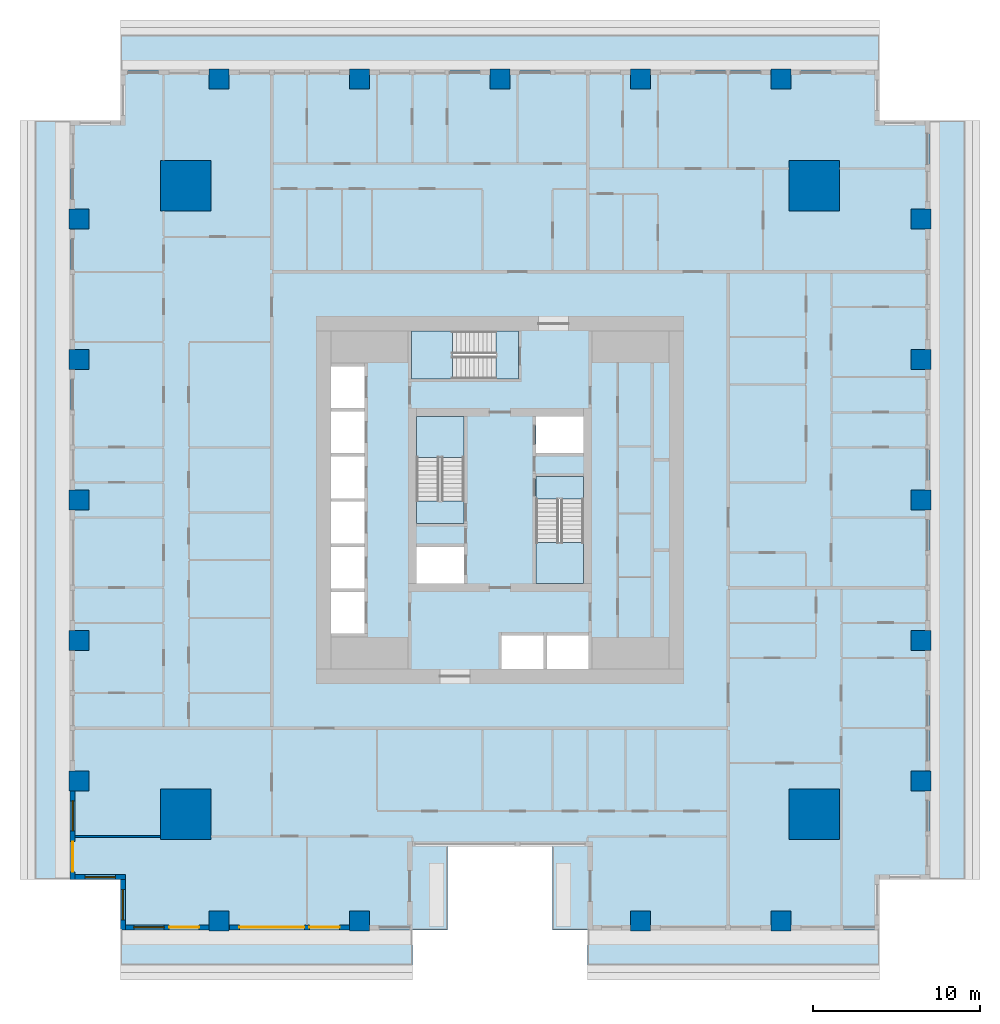
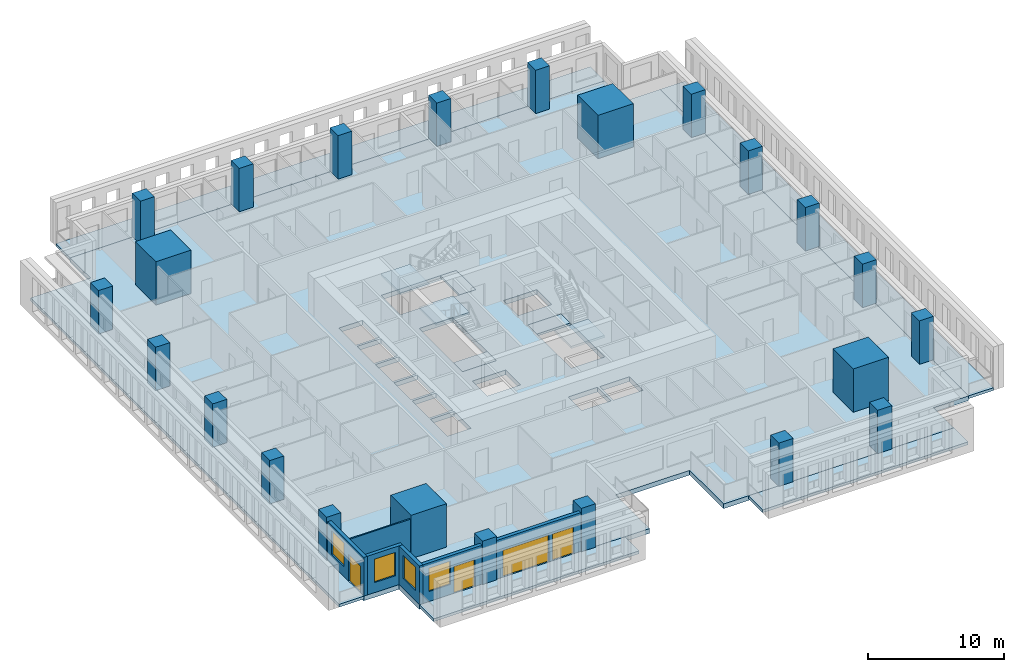
# One storey, part 1 of 15: 23 columns, 12 slabs, 6 walls, 4 doors, 4 windows, 8 openings, 3 elements without a shape of their own.
"""IFC4 building model written with IfcOpenShell, lengths in metres."""

from ifc_helpers import new_model, si_unit, direction, frame, frame_2d, origin, origin_2d, place, context, subcontext, project, spatial, polyline, rectangle, outline, extrude, material, layer, layer_set, material_profile, profile_set, type_object, element, fill, aggregate, save


model = new_model("IFC4")

# Units and contexts
model_context = context("Model", 3, precision=1e-05, world=origin(), true_north=direction((0.0, 1.0)))
body_context = subcontext(model_context, "Body", "Model", "MODEL_VIEW")
ifc_project = project(units=[si_unit("LENGTHUNIT", "METRE"), si_unit("AREAUNIT", "SQUARE_METRE"), si_unit("VOLUMEUNIT", "CUBIC_METRE"), si_unit("PLANEANGLEUNIT", "RADIAN"), si_unit("MASSUNIT", "GRAM", prefix="KILO")], contexts=[model_context])

# Site, building, storey
site_placement = place(None, origin())
site = spatial("IfcSite", under=ifc_project, at=site_placement, CompositionType="ELEMENT")
building_placement = place(site_placement, origin())
building = spatial("IfcBuilding", under=site, at=building_placement, Name="Khepri Terraces", CompositionType="ELEMENT")
storey_placement = place(building_placement, frame((0.0, 0.0, 34.800048828125)))
storey = spatial("IfcBuildingStorey", under=building, at=storey_placement, Name="L07", CompositionType="ELEMENT", Elevation=34.800048828125)

# Columns
ifc_material_1 = material(Name="Concrete C80/95", Category="concrete")
ifc_material_profile_1 = material_profile(ifc_material_1, rectangle(XDim=3.0, YDim=3.0, at=origin_2d()), Name="Concrete C80/95", Category="concrete")
ifc_profile_set_1 = profile_set([ifc_material_profile_1], Name="Concrete C80/95")
column_type_1 = type_object("IfcColumnType", Name="Mega column RC 3000x3000 C80/95", PredefinedType="COLUMN", material=ifc_profile_set_1)
for number, where, z_axis, x_axis, name in (
    (1, (18.800048828125, 18.800048828125, 0.0), (0.0, 0.0, 1.0), (1.0, 0.0, 0.0), "Mega column MEN L07"),
    (2, (18.800048828125, -18.800048828125, 0.0), (0.0, 0.0, 1.0), (1.0, 0.0, 0.0), "Mega column MES L07"),
    (3, (-18.800048828125, 18.800048828125, 0.0), (0.0, 0.0, 1.0), (1.0, 0.0, 0.0), "Mega column MWN L07"),
    (4, (-18.800048828125, -18.800048828125, 0.0), (0.0, 0.0, 1.0), (1.0, 0.0, 0.0), "Mega column MWS L07"),
):
    element("IfcColumn", number, at=place(storey_placement, frame(where, z_axis=z_axis, x_axis=x_axis)), inside=storey, type_object=column_type_1, Name=name, PredefinedType="COLUMN", context=body_context, shape_type="SweptSolid", body=[
        extrude(rectangle(XDim=3.0, YDim=3.0, at=origin_2d()), origin(), (0.0, 0.0, 1.0), 3.89990234375),
    ])
ifc_material_profile_2 = material_profile(ifc_material_1, rectangle(XDim=1.199951171875, YDim=1.199951171875, at=origin_2d()), Name="Concrete C80/95", Category="concrete")
ifc_profile_set_2 = profile_set([ifc_material_profile_2], Name="Concrete C80/95")
column_type_2 = type_object("IfcColumnType", Name="Tower column RC 1200x1200 C80/95", PredefinedType="COLUMN", material=ifc_profile_set_2)
for number, where, z_axis, x_axis, name in (
    (5, (25.199951171875, 0.0, 0.0), (0.0, 0.0, 1.0), (1.0, 0.0, 0.0), "Perimeter column PE+000a L07"),
    (6, (25.199951171875, 8.39990234375, 0.0), (0.0, 0.0, 1.0), (1.0, 0.0, 0.0), "Perimeter column PE+084a L07"),
    (7, (25.199951171875, 16.800048828125, 0.0), (0.0, 0.0, 1.0), (1.0, 0.0, 0.0), "Perimeter column PE+168a L07"),
    (8, (25.199951171875, -8.39990234375, 0.0), (0.0, 0.0, 1.0), (1.0, 0.0, 0.0), "Perimeter column PE-084a L07"),
    (9, (25.199951171875, -16.800048828125, 0.0), (0.0, 0.0, 1.0), (1.0, 0.0, 0.0), "Perimeter column PE-168a L07"),
    (10, (0.0, 25.199951171875, 0.0), (0.0, 0.0, 1.0), (1.0, 0.0, 0.0), "Perimeter column PN+000a L07"),
    (11, (-8.39990234375, 25.199951171875, 0.0), (0.0, 0.0, 1.0), (1.0, 0.0, 0.0), "Perimeter column PN+084a L07"),
    (12, (-16.800048828125, 25.199951171875, 0.0), (0.0, 0.0, 1.0), (1.0, 0.0, 0.0), "Perimeter column PN+168a L07"),
    (13, (8.39990234375, 25.199951171875, 0.0), (0.0, 0.0, 1.0), (1.0, 0.0, 0.0), "Perimeter column PN-084a L07"),
    (14, (16.800048828125, 25.199951171875, 0.0), (0.0, 0.0, 1.0), (1.0, 0.0, 0.0), "Perimeter column PN-168a L07"),
    (15, (8.39990234375, -25.199951171875, 0.0), (0.0, 0.0, 1.0), (1.0, 0.0, 0.0), "Perimeter column PS+084a L07"),
    (16, (16.800048828125, -25.199951171875, 0.0), (0.0, 0.0, 1.0), (1.0, 0.0, 0.0), "Perimeter column PS+168a L07"),
    (17, (-8.39990234375, -25.199951171875, 0.0), (0.0, 0.0, 1.0), (1.0, 0.0, 0.0), "Perimeter column PS-084a L07"),
    (18, (-16.800048828125, -25.199951171875, 0.0), (0.0, 0.0, 1.0), (1.0, 0.0, 0.0), "Perimeter column PS-168a L07"),
    (19, (-25.199951171875, 0.0, 0.0), (0.0, 0.0, 1.0), (1.0, 0.0, 0.0), "Perimeter column PW+000a L07"),
    (20, (-25.199951171875, -8.39990234375, 0.0), (0.0, 0.0, 1.0), (1.0, 0.0, 0.0), "Perimeter column PW+084a L07"),
    (21, (-25.199951171875, -16.800048828125, 0.0), (0.0, 0.0, 1.0), (1.0, 0.0, 0.0), "Perimeter column PW+168a L07"),
    (22, (-25.199951171875, 8.39990234375, 0.0), (0.0, 0.0, 1.0), (1.0, 0.0, 0.0), "Perimeter column PW-084a L07"),
    (23, (-25.199951171875, 16.800048828125, 0.0), (0.0, 0.0, 1.0), (1.0, 0.0, 0.0), "Perimeter column PW-168a L07"),
):
    element("IfcColumn", number, at=place(storey_placement, frame(where, z_axis=z_axis, x_axis=x_axis)), inside=storey, type_object=column_type_2, Name=name, PredefinedType="COLUMN", context=body_context, shape_type="SweptSolid", body=[
        extrude(rectangle(XDim=1.199951171875, YDim=1.199951171875, at=origin_2d()), origin(), (0.0, 0.0, 1.0), 3.89990234375),
    ])

# Slabs
ifc_material_2 = material(Name="Concrete C40/50", Category="concrete")
ifc_layer_1 = layer(ifc_material_2, 0.419921875, Name="Concrete C40/50", Category="concrete")
ifc_layer_set_1 = layer_set([ifc_layer_1], Name="Concrete C40/50")
slab_type_1 = type_object("IfcSlabType", Name="Flat plate 420", PredefinedType="FLOOR", material=ifc_layer_set_1)
slab_1_placement = place(storey_placement, frame((0.0, 0.0, -0.420166015625)))
element("IfcSlab", 24, at=slab_1_placement, inside=storey, type_object=slab_type_1, Name="Floor slab F01 L07", PredefinedType="FLOOR", context=body_context, shape_type="SweptSolid", body=[
    extrude(outline(polyline([(22.719970703125, -25.719970703125), (5.25, -25.719970703125), (3.14990234375, -25.719970703125), (3.14990234375, -20.719970703125), (-3.14990234375, -20.719970703125), (-3.14990234375, -25.719970703125), (-5.25, -25.719970703125), (-22.719970703125, -25.719970703125), (-22.719970703125, -22.719970703125), (-25.719970703125, -22.719970703125), (-25.719970703125, 22.719970703125), (-22.719970703125, 22.719970703125), (-22.719970703125, 25.719970703125), (22.719970703125, 25.719970703125), (22.719970703125, 22.719970703125), (25.719970703125, 22.719970703125), (25.719970703125, -22.719970703125), (22.719970703125, -22.719970703125), (22.719970703125, -25.719970703125)]), holes=[polyline([(5.0, 5.0), (2.14990234375, 5.0), (2.14990234375, 2.800048828125), (5.0, 2.800048828125), (5.0, 5.0)]), polyline([(-2.14990234375, -5.0), (-2.14990234375, -2.800048828125), (-5.0, -2.800048828125), (-5.0, -5.0), (-2.14990234375, -5.0)]), polyline([(-10.10009765625, -8.0), (-8.10009765625, -8.0), (-8.10009765625, -5.5), (-10.10009765625, -5.5), (-10.10009765625, -8.0)]), polyline([(-10.10009765625, -2.800048828125), (-10.10009765625, -5.300048828125), (-8.10009765625, -5.300048828125), (-8.10009765625, -2.800048828125), (-10.10009765625, -2.800048828125)]), polyline([(-8.10009765625, -0.10009765625), (-10.10009765625, -0.10009765625), (-10.10009765625, -2.60009765625), (-8.10009765625, -2.60009765625), (-8.10009765625, -0.10009765625)]), polyline([(-8.10009765625, 0.10009765625), (-8.10009765625, 2.60009765625), (-10.10009765625, 2.60009765625), (-10.10009765625, 0.10009765625), (-8.10009765625, 0.10009765625)]), polyline([(-10.10009765625, 2.800048828125), (-8.10009765625, 2.800048828125), (-8.10009765625, 5.300048828125), (-10.10009765625, 5.300048828125), (-10.10009765625, 2.800048828125)]), polyline([(-10.10009765625, 8.0), (-10.10009765625, 5.5), (-8.10009765625, 5.5), (-8.10009765625, 8.0), (-10.10009765625, 8.0)]), polyline([(2.60009765625, -8.10009765625), (0.10009765625, -8.10009765625), (0.10009765625, -10.10009765625), (2.60009765625, -10.10009765625), (2.60009765625, -8.10009765625)]), polyline([(5.300048828125, -10.10009765625), (5.300048828125, -8.10009765625), (2.800048828125, -8.10009765625), (2.800048828125, -10.10009765625), (5.300048828125, -10.10009765625)]), polyline([(-5.0, -1.39990234375), (-2.14990234375, -1.39990234375), (-2.14990234375, 5.0), (-5.0, 5.0), (-5.0, -1.39990234375)]), polyline([(5.0, -5.0), (5.0, 1.39990234375), (2.14990234375, 1.39990234375), (2.14990234375, -5.0), (5.0, -5.0)]), polyline([(-5.300048828125, 10.10009765625), (-5.300048828125, 7.25), (1.10009765625, 7.25), (1.10009765625, 10.10009765625), (-5.300048828125, 10.10009765625)])]), origin(), (0.0, 0.0, 1.0), 0.420166015625),
])
ifc_material_3 = material(Name="Precast concrete C50/60 warm stone", Category="masonry")
ifc_layer_2 = layer(ifc_material_3, 0.25, Name="Precast concrete C50/60 warm stone", Category="masonry")
ifc_layer_set_2 = layer_set([ifc_layer_2], Name="Precast concrete C50/60 warm stone")
slab_type_2 = type_object("IfcSlabType", Name="SLB-BALCONY-250", PredefinedType="FLOOR", material=ifc_layer_set_2)
slab_2_placement = place(storey_placement, frame((0.0, 0.0, -0.25)))
element("IfcSlab", 25, at=slab_2_placement, inside=storey, type_object=slab_type_2, Name="Balcony slab L07 S", PredefinedType="FLOOR", context=body_context, shape_type="SweptSolid", body=[
    extrude(outline(polyline([(-17.39990234375, -25.719970703125), (-22.719970703125, -25.719970703125), (-22.719970703125, -27.820068359375), (-5.25, -27.820068359375), (-5.25, -25.719970703125), (-7.800048828125, -25.719970703125), (-7.800048828125, -25.800048828125), (-9.0, -25.800048828125), (-9.0, -25.719970703125), (-16.199951171875, -25.719970703125), (-16.199951171875, -25.800048828125), (-17.39990234375, -25.800048828125), (-17.39990234375, -25.719970703125)])), origin(), (0.0, 0.0, 1.0), 0.25),
])
slab_3_placement = place(storey_placement, frame((0.0, 0.0, -0.25)))
element("IfcSlab", 26, at=slab_3_placement, inside=storey, type_object=slab_type_2, Name="Balcony slab L07 S", PredefinedType="FLOOR", context=body_context, shape_type="SweptSolid", body=[
    extrude(outline(polyline([(7.800048828125, -25.719970703125), (5.25, -25.719970703125), (5.25, -27.820068359375), (22.719970703125, -27.820068359375), (22.719970703125, -25.719970703125), (17.39990234375, -25.719970703125), (17.39990234375, -25.800048828125), (16.199951171875, -25.800048828125), (16.199951171875, -25.719970703125), (9.0, -25.719970703125), (9.0, -25.800048828125), (7.800048828125, -25.800048828125), (7.800048828125, -25.719970703125)])), origin(), (0.0, 0.0, 1.0), 0.25),
])
slab_4_placement = place(storey_placement, frame((0.0, 0.0, -0.25)))
element("IfcSlab", 27, at=slab_4_placement, inside=storey, type_object=slab_type_2, Name="Balcony slab L07 E", PredefinedType="FLOOR", context=body_context, shape_type="SweptSolid", body=[
    extrude(outline(polyline([(25.719970703125, -17.39990234375), (25.719970703125, -22.719970703125), (27.820068359375, -22.719970703125), (27.820068359375, 22.719970703125), (25.719970703125, 22.719970703125), (25.719970703125, 17.39990234375), (25.800048828125, 17.39990234375), (25.800048828125, 16.199951171875), (25.719970703125, 16.199951171875), (25.719970703125, 9.0), (25.800048828125, 9.0), (25.800048828125, 7.800048828125), (25.719970703125, 7.800048828125), (25.719970703125, 0.60009765625), (25.800048828125, 0.60009765625), (25.800048828125, -0.60009765625), (25.719970703125, -0.60009765625), (25.719970703125, -7.800048828125), (25.800048828125, -7.800048828125), (25.800048828125, -9.0), (25.719970703125, -9.0), (25.719970703125, -16.199951171875), (25.800048828125, -16.199951171875), (25.800048828125, -17.39990234375), (25.719970703125, -17.39990234375)])), origin(), (0.0, 0.0, 1.0), 0.25),
])
slab_5_placement = place(storey_placement, frame((0.0, 0.0, -0.25)))
element("IfcSlab", 28, at=slab_5_placement, inside=storey, type_object=slab_type_2, Name="Balcony slab L07 N", PredefinedType="FLOOR", context=body_context, shape_type="SweptSolid", body=[
    extrude(outline(polyline([(17.39990234375, 25.719970703125), (22.719970703125, 25.719970703125), (22.719970703125, 27.820068359375), (-22.719970703125, 27.820068359375), (-22.719970703125, 25.719970703125), (-17.39990234375, 25.719970703125), (-17.39990234375, 25.800048828125), (-16.199951171875, 25.800048828125), (-16.199951171875, 25.719970703125), (-9.0, 25.719970703125), (-9.0, 25.800048828125), (-7.800048828125, 25.800048828125), (-7.800048828125, 25.719970703125), (-0.60009765625, 25.719970703125), (-0.60009765625, 25.800048828125), (0.60009765625, 25.800048828125), (0.60009765625, 25.719970703125), (7.800048828125, 25.719970703125), (7.800048828125, 25.800048828125), (9.0, 25.800048828125), (9.0, 25.719970703125), (16.199951171875, 25.719970703125), (16.199951171875, 25.800048828125), (17.39990234375, 25.800048828125), (17.39990234375, 25.719970703125)])), origin(), (0.0, 0.0, 1.0), 0.25),
])
slab_6_placement = place(storey_placement, frame((0.0, 0.0, -0.25)))
element("IfcSlab", 29, at=slab_6_placement, inside=storey, type_object=slab_type_2, Name="Balcony slab L07 W", PredefinedType="FLOOR", context=body_context, shape_type="SweptSolid", body=[
    extrude(outline(polyline([(-25.719970703125, 17.39990234375), (-25.719970703125, 22.719970703125), (-27.820068359375, 22.719970703125), (-27.820068359375, -22.719970703125), (-25.719970703125, -22.719970703125), (-25.719970703125, -17.39990234375), (-25.800048828125, -17.39990234375), (-25.800048828125, -16.199951171875), (-25.719970703125, -16.199951171875), (-25.719970703125, -9.0), (-25.800048828125, -9.0), (-25.800048828125, -7.800048828125), (-25.719970703125, -7.800048828125), (-25.719970703125, -0.60009765625), (-25.800048828125, -0.60009765625), (-25.800048828125, 0.60009765625), (-25.719970703125, 0.60009765625), (-25.719970703125, 7.800048828125), (-25.800048828125, 7.800048828125), (-25.800048828125, 9.0), (-25.719970703125, 9.0), (-25.719970703125, 16.199951171875), (-25.800048828125, 16.199951171875), (-25.800048828125, 17.39990234375), (-25.719970703125, 17.39990234375)])), origin(), (0.0, 0.0, 1.0), 0.25),
])

# Stair, slabs
stair_type = type_object("IfcStairType", Name="STAIR-RC-22R", PredefinedType="HALF_TURN_STAIR", material=ifc_material_2)
stair_1_placement = place(storey_placement, origin())
stair_1 = element("IfcStair", 30, at=stair_1_placement, inside=storey, type_object=stair_type, Name="L07 Exit Stair ST-1", PredefinedType="HALF_TURN_STAIR")
ifc_layer_3 = layer(ifc_material_2, 0.199951171875, Name="Concrete C40/50", Category="concrete")
ifc_layer_set_3 = layer_set([ifc_layer_3], Name="Concrete C40/50")
slab_type_3 = type_object("IfcSlabType", Name="SLB-CORE-LANDING", PredefinedType="LANDING", material=ifc_layer_set_3)
slab_7_placement = place(storey_placement, frame((0.0, 0.0, -0.199951171875)))
slab_7 = element("IfcSlab", 31, at=slab_7_placement, type_object=slab_type_3, Name="ST-1 landing 1", PredefinedType="LANDING", context=body_context, shape_type="SweptSolid", body=[
    extrude(outline(polyline([(-2.14990234375, -1.39990234375), (-2.14990234375, -0.050048828125), (-5.0, -0.050048828125), (-5.0, -1.39990234375), (-2.14990234375, -1.39990234375)])), origin(), (0.0, 0.0, 1.0), 0.199951171875),
])
slab_8_placement = place(storey_placement, frame((0.0, 0.0, 1.75)))
slab_8 = element("IfcSlab", 32, at=slab_8_placement, type_object=slab_type_3, Name="ST-1 landing 2", PredefinedType="LANDING", context=body_context, shape_type="SweptSolid", body=[
    extrude(outline(polyline([(-2.14990234375, 2.550048828125), (-2.14990234375, 5.0), (-5.0, 5.0), (-5.0, 2.550048828125), (-2.14990234375, 2.550048828125)])), origin(), (0.0, 0.0, 1.0), 0.199951171875),
])
aggregate(stair_1, [slab_7, slab_8])

stair_2_placement = place(storey_placement, origin())
stair_2 = element("IfcStair", 33, at=stair_2_placement, inside=storey, type_object=stair_type, Name="L07 Exit Stair ST-2", PredefinedType="HALF_TURN_STAIR")
slab_9_placement = place(storey_placement, frame((0.0, 0.0, -0.199951171875)))
slab_9 = element("IfcSlab", 34, at=slab_9_placement, type_object=slab_type_3, Name="ST-2 landing 1", PredefinedType="LANDING", context=body_context, shape_type="SweptSolid", body=[
    extrude(outline(polyline([(2.14990234375, 1.39990234375), (2.14990234375, 0.050048828125), (5.0, 0.050048828125), (5.0, 1.39990234375), (2.14990234375, 1.39990234375)])), origin(), (0.0, 0.0, 1.0), 0.199951171875),
])
slab_10_placement = place(storey_placement, frame((0.0, 0.0, 1.75)))
slab_10 = element("IfcSlab", 35, at=slab_10_placement, type_object=slab_type_3, Name="ST-2 landing 2", PredefinedType="LANDING", context=body_context, shape_type="SweptSolid", body=[
    extrude(outline(polyline([(2.14990234375, -2.550048828125), (2.14990234375, -5.0), (5.0, -5.0), (5.0, -2.550048828125), (2.14990234375, -2.550048828125)])), origin(), (0.0, 0.0, 1.0), 0.199951171875),
])
aggregate(stair_2, [slab_9, slab_10])

stair_3_placement = place(storey_placement, origin())
stair_3 = element("IfcStair", 36, at=stair_3_placement, inside=storey, type_object=stair_type, Name="L07 Exit Stair ST-3", PredefinedType="HALF_TURN_STAIR")
slab_11_placement = place(storey_placement, frame((0.0, 0.0, -0.199951171875)))
slab_11 = element("IfcSlab", 37, at=slab_11_placement, type_object=slab_type_3, Name="ST-3 landing 1", PredefinedType="LANDING", context=body_context, shape_type="SweptSolid", body=[
    extrude(outline(polyline([(1.10009765625, 10.10009765625), (-0.25, 10.10009765625), (-0.25, 7.25), (1.10009765625, 7.25), (1.10009765625, 10.10009765625)])), origin(), (0.0, 0.0, 1.0), 0.199951171875),
])
slab_12_placement = place(storey_placement, frame((0.0, 0.0, 1.75)))
slab_12 = element("IfcSlab", 38, at=slab_12_placement, type_object=slab_type_3, Name="ST-3 landing 2", PredefinedType="LANDING", context=body_context, shape_type="SweptSolid", body=[
    extrude(outline(polyline([(-2.85009765625, 10.10009765625), (-5.300048828125, 10.10009765625), (-5.300048828125, 7.25), (-2.85009765625, 7.25), (-2.85009765625, 10.10009765625)])), origin(), (0.0, 0.0, 1.0), 0.199951171875),
])
aggregate(stair_3, [slab_11, slab_12])

# Wall, openings, door, window
ifc_layer_4 = layer(ifc_material_3, 0.300048828125, Name="Precast concrete C50/60 warm stone", Category="masonry")
ifc_layer_set_4 = layer_set([ifc_layer_4], Name="Precast concrete C50/60 warm stone")
wall_type_1 = type_object("IfcWallType", Name="WL-EXT-PRECAST-300", PredefinedType="STANDARD", material=ifc_layer_set_4)
wall_1_placement = place(storey_placement, frame((-25.570068359375, -17.39990234375, 0.0), z_axis=(0.0, 0.0, 1.0), x_axis=(0.0, -1.0, 0.0)))
wall_1 = element("IfcWall", 39, at=wall_1_placement, inside=storey, type_object=wall_type_1, Name="External wall L07 W", PredefinedType="STANDARD", context=body_context, shape_type="SweptSolid", body=[
    extrude(rectangle(XDim=5.320068359375, YDim=0.300048828125, at=frame_2d((2.66015625, 0.0))), origin(), (0.0, 0.0, 1.0), 3.47998046875),
])
opening_1_placement = place(wall_1_placement, frame((0.60009765625, 0.0, 0.89990234375)))
opening_1 = element("IfcOpeningElement", 40, at=opening_1_placement, cuts=wall_1, Name="Opening W1", PredefinedType="OPENING", context=body_context, shape_type="SweptSolid", body=[
    extrude(rectangle(XDim=1.800048828125, YDim=2.10009765625, at=frame_2d((0.89990234375, 1.050048828125))), frame((0.0, 0.16015625, 0.0), z_axis=(0.0, -1.0, 0.0), x_axis=(1.0, 0.0, 0.0)), (0.0, 0.0, 1.0), 0.320068359375),
])
opening_2_placement = place(wall_1_placement, frame((3.044921875, 0.0, 0.0)))
opening_2 = element("IfcOpeningElement", 41, at=opening_2_placement, cuts=wall_1, Name="Opening ED-L07-16", PredefinedType="OPENING", context=body_context, shape_type="SweptSolid", body=[
    extrude(rectangle(XDim=1.800048828125, YDim=2.39990234375, at=frame_2d((0.89990234375, 1.199951171875))), frame((0.0, 0.16015625, 0.0), z_axis=(0.0, -1.0, 0.0), x_axis=(1.0, 0.0, 0.0)), (0.0, 0.0, 1.0), 0.320068359375),
])
ifc_material_4 = material(Name="Anodised aluminium bronze glazed door", Category="aluminium")
door_type_1 = type_object("IfcDoorType", Name="DR-BAL-SLIDE-1800x2400", OperationType="NOTDEFINED", PredefinedType="DOOR", material=ifc_material_4)
door_1_placement = place(opening_2_placement, origin())
door_1 = element("IfcDoor", 42, at=door_1_placement, inside=storey, type_object=door_type_1, Name="Balcony door L07 W", OperationType="SLIDING_TO_RIGHT", OverallHeight=2.39990234375, OverallWidth=1.800048828125, PredefinedType="DOOR", context=body_context, shape_type="SweptSolid", body=[
    extrude(rectangle(XDim=1.800048828125, YDim=2.39990234375, at=frame_2d((0.89990234375, 1.199951171875))), frame((0.0, 0.02490234375, 0.0), z_axis=(0.0, -1.0, 0.0), x_axis=(1.0, 0.0, 0.0)), (0.0, 0.0, 1.0), 0.050048828125),
])
fill(opening_2, door_1)
ifc_material_5 = material(Name="Clear glass", Category="glass")
window_type = type_object("IfcWindowType", Name="WIN-RES-1800x2100", PartitioningType="SINGLE_PANEL", PredefinedType="WINDOW", material=ifc_material_5)
window_1_placement = place(opening_1_placement, origin())
window_1 = element("IfcWindow", 43, at=window_1_placement, inside=storey, type_object=window_type, Name="Window L07 W", OverallHeight=2.10009765625, OverallWidth=1.800048828125, PartitioningType="SINGLE_PANEL", PredefinedType="WINDOW", context=body_context, shape_type="SweptSolid", body=[
    extrude(rectangle(XDim=1.800048828125, YDim=2.10009765625, at=frame_2d((0.89990234375, 1.050048828125))), frame((0.0, 0.030029296875, 0.0), z_axis=(0.0, -1.0, 0.0), x_axis=(1.0, 0.0, 0.0)), (0.0, 0.0, 1.0), 0.06005859375),
])
fill(opening_1, window_1)

# Wall, opening, window
wall_2_placement = place(storey_placement, frame((-25.419921875, -22.570068359375, 0.0), z_axis=(0.0, 0.0, 1.0), x_axis=(1.0, 0.0, 0.0)))
wall_2 = element("IfcWall", 44, at=wall_2_placement, inside=storey, type_object=wall_type_1, Name="External wall L07 S", PredefinedType="STANDARD", context=body_context, shape_type="SweptSolid", body=[
    extrude(rectangle(XDim=3.0, YDim=0.300048828125, at=frame_2d((1.5, 0.0))), origin(), (0.0, 0.0, 1.0), 3.47998046875),
])
opening_3_placement = place(wall_2_placement, frame((0.60009765625, 0.0, 0.89990234375)))
opening_3 = element("IfcOpeningElement", 45, at=opening_3_placement, cuts=wall_2, Name="Opening W1", PredefinedType="OPENING", context=body_context, shape_type="SweptSolid", body=[
    extrude(rectangle(XDim=1.800048828125, YDim=2.10009765625, at=frame_2d((0.89990234375, 1.050048828125))), frame((0.0, 0.16015625, 0.0), z_axis=(0.0, -1.0, 0.0), x_axis=(1.0, 0.0, 0.0)), (0.0, 0.0, 1.0), 0.320068359375),
])
window_2_placement = place(opening_3_placement, origin())
window_2 = element("IfcWindow", 46, at=window_2_placement, inside=storey, type_object=window_type, Name="Window L07 S", OverallHeight=2.10009765625, OverallWidth=1.800048828125, PartitioningType="SINGLE_PANEL", PredefinedType="WINDOW", context=body_context, shape_type="SweptSolid", body=[
    extrude(rectangle(XDim=1.800048828125, YDim=2.10009765625, at=frame_2d((0.89990234375, 1.050048828125))), frame((0.0, 0.030029296875, 0.0), z_axis=(0.0, -1.0, 0.0), x_axis=(1.0, 0.0, 0.0)), (0.0, 0.0, 1.0), 0.06005859375),
])
fill(opening_3, window_2)

wall_3_placement = place(storey_placement, frame((-22.570068359375, -22.719970703125, 0.0), z_axis=(0.0, 0.0, 1.0), x_axis=(0.0, -1.0, 0.0)))
wall_3 = element("IfcWall", 47, at=wall_3_placement, inside=storey, type_object=wall_type_1, Name="External wall L07 W", PredefinedType="STANDARD", context=body_context, shape_type="SweptSolid", body=[
    extrude(rectangle(XDim=3.0, YDim=0.300048828125, at=frame_2d((1.5, 0.0))), origin(), (0.0, 0.0, 1.0), 3.47998046875),
])
opening_4_placement = place(wall_3_placement, frame((0.60009765625, 0.0, 0.89990234375)))
opening_4 = element("IfcOpeningElement", 48, at=opening_4_placement, cuts=wall_3, Name="Opening W1", PredefinedType="OPENING", context=body_context, shape_type="SweptSolid", body=[
    extrude(rectangle(XDim=1.800048828125, YDim=2.10009765625, at=frame_2d((0.89990234375, 1.050048828125))), frame((0.0, 0.16015625, 0.0), z_axis=(0.0, -1.0, 0.0), x_axis=(1.0, 0.0, 0.0)), (0.0, 0.0, 1.0), 0.320068359375),
])
window_3_placement = place(opening_4_placement, origin())
window_3 = element("IfcWindow", 49, at=window_3_placement, inside=storey, type_object=window_type, Name="Window L07 W", OverallHeight=2.10009765625, OverallWidth=1.800048828125, PartitioningType="SINGLE_PANEL", PredefinedType="WINDOW", context=body_context, shape_type="SweptSolid", body=[
    extrude(rectangle(XDim=1.800048828125, YDim=2.10009765625, at=frame_2d((0.89990234375, 1.050048828125))), frame((0.0, 0.030029296875, 0.0), z_axis=(0.0, -1.0, 0.0), x_axis=(1.0, 0.0, 0.0)), (0.0, 0.0, 1.0), 0.06005859375),
])
fill(opening_4, window_3)

# Wall, openings, door, window
wall_4_placement = place(storey_placement, frame((-22.419921875, -25.570068359375, 0.0), z_axis=(0.0, 0.0, 1.0), x_axis=(1.0, 0.0, 0.0)))
wall_4 = element("IfcWall", 50, at=wall_4_placement, inside=storey, type_object=wall_type_1, Name="External wall L07 S", PredefinedType="STANDARD", context=body_context, shape_type="SweptSolid", body=[
    extrude(rectangle(XDim=5.02001953125, YDim=0.300048828125, at=frame_2d((2.510009765625, 0.0))), origin(), (0.0, 0.0, 1.0), 3.47998046875),
])
opening_5_placement = place(wall_4_placement, frame((0.52001953125, 0.0, 0.89990234375)))
opening_5 = element("IfcOpeningElement", 51, at=opening_5_placement, cuts=wall_4, Name="Opening W1", PredefinedType="OPENING", context=body_context, shape_type="SweptSolid", body=[
    extrude(rectangle(XDim=1.800048828125, YDim=2.10009765625, at=frame_2d((0.89990234375, 1.050048828125))), frame((0.0, 0.16015625, 0.0), z_axis=(0.0, -1.0, 0.0), x_axis=(1.0, 0.0, 0.0)), (0.0, 0.0, 1.0), 0.320068359375),
])
opening_6_placement = place(wall_4_placement, frame((2.6201171875, 0.0, 0.0)))
opening_6 = element("IfcOpeningElement", 52, at=opening_6_placement, cuts=wall_4, Name="Opening ED-L07-17", PredefinedType="OPENING", context=body_context, shape_type="SweptSolid", body=[
    extrude(rectangle(XDim=1.800048828125, YDim=2.39990234375, at=frame_2d((0.89990234375, 1.199951171875))), frame((0.0, 0.16015625, 0.0), z_axis=(0.0, -1.0, 0.0), x_axis=(1.0, 0.0, 0.0)), (0.0, 0.0, 1.0), 0.320068359375),
])
door_2_placement = place(opening_6_placement, origin())
door_2 = element("IfcDoor", 53, at=door_2_placement, inside=storey, type_object=door_type_1, Name="Balcony door L07 S", OperationType="SLIDING_TO_RIGHT", OverallHeight=2.39990234375, OverallWidth=1.800048828125, PredefinedType="DOOR", context=body_context, shape_type="SweptSolid", body=[
    extrude(rectangle(XDim=1.800048828125, YDim=2.39990234375, at=frame_2d((0.89990234375, 1.199951171875))), frame((0.0, 0.02490234375, 0.0), z_axis=(0.0, -1.0, 0.0), x_axis=(1.0, 0.0, 0.0)), (0.0, 0.0, 1.0), 0.050048828125),
])
fill(opening_6, door_2)
window_4_placement = place(opening_5_placement, origin())
window_4 = element("IfcWindow", 54, at=window_4_placement, inside=storey, type_object=window_type, Name="Window L07 S", OverallHeight=2.10009765625, OverallWidth=1.800048828125, PartitioningType="SINGLE_PANEL", PredefinedType="WINDOW", context=body_context, shape_type="SweptSolid", body=[
    extrude(rectangle(XDim=1.800048828125, YDim=2.10009765625, at=frame_2d((0.89990234375, 1.050048828125))), frame((0.0, 0.030029296875, 0.0), z_axis=(0.0, -1.0, 0.0), x_axis=(1.0, 0.0, 0.0)), (0.0, 0.0, 1.0), 0.06005859375),
])
fill(opening_5, window_4)

# Wall, openings, doors
wall_5_placement = place(storey_placement, frame((-16.199951171875, -25.570068359375, 0.0), z_axis=(0.0, 0.0, 1.0), x_axis=(1.0, 0.0, 0.0)))
wall_5 = element("IfcWall", 55, at=wall_5_placement, inside=storey, type_object=wall_type_1, Name="External wall L07 S", PredefinedType="STANDARD", context=body_context, shape_type="SweptSolid", body=[
    extrude(rectangle(XDim=7.199951171875, YDim=0.300048828125, at=frame_2d((3.60009765625, 0.0))), origin(), (0.0, 0.0, 1.0), 3.47998046875),
])
opening_7_placement = place(wall_5_placement, frame((0.60009765625, 0.0, 0.0)))
opening_7 = element("IfcOpeningElement", 56, at=opening_7_placement, cuts=wall_5, Name="Opening ED-L07-18", PredefinedType="OPENING", context=body_context, shape_type="SweptSolid", body=[
    extrude(rectangle(XDim=3.89990234375, YDim=2.39990234375, at=frame_2d((1.949951171875, 1.199951171875))), frame((0.0, 0.16015625, 0.0), z_axis=(0.0, -1.0, 0.0), x_axis=(1.0, 0.0, 0.0)), (0.0, 0.0, 1.0), 0.320068359375),
])
opening_8_placement = place(wall_5_placement, frame((4.800048828125, 0.0, 0.0)))
opening_8 = element("IfcOpeningElement", 57, at=opening_8_placement, cuts=wall_5, Name="Opening ED-L07-19", PredefinedType="OPENING", context=body_context, shape_type="SweptSolid", body=[
    extrude(rectangle(XDim=1.800048828125, YDim=2.39990234375, at=frame_2d((0.89990234375, 1.199951171875))), frame((0.0, 0.16015625, 0.0), z_axis=(0.0, -1.0, 0.0), x_axis=(1.0, 0.0, 0.0)), (0.0, 0.0, 1.0), 0.320068359375),
])
door_3_placement = place(opening_8_placement, origin())
door_3 = element("IfcDoor", 58, at=door_3_placement, inside=storey, type_object=door_type_1, Name="Balcony door L07 S", OperationType="SLIDING_TO_RIGHT", OverallHeight=2.39990234375, OverallWidth=1.800048828125, PredefinedType="DOOR", context=body_context, shape_type="SweptSolid", body=[
    extrude(rectangle(XDim=1.800048828125, YDim=2.39990234375, at=frame_2d((0.89990234375, 1.199951171875))), frame((0.0, 0.02490234375, 0.0), z_axis=(0.0, -1.0, 0.0), x_axis=(1.0, 0.0, 0.0)), (0.0, 0.0, 1.0), 0.050048828125),
])
fill(opening_8, door_3)
door_type_2 = type_object("IfcDoorType", Name="DR-BAL-SLIDE-3900x2400", OperationType="NOTDEFINED", PredefinedType="DOOR", material=ifc_material_4)
door_4_placement = place(opening_7_placement, origin())
door_4 = element("IfcDoor", 59, at=door_4_placement, inside=storey, type_object=door_type_2, Name="Balcony door L07 S", OperationType="SLIDING_TO_LEFT", OverallHeight=2.39990234375, OverallWidth=3.89990234375, PredefinedType="DOOR", context=body_context, shape_type="SweptSolid", body=[
    extrude(rectangle(XDim=3.89990234375, YDim=2.39990234375, at=frame_2d((1.949951171875, 1.199951171875))), frame((0.0, 0.02490234375, 0.0), z_axis=(0.0, -1.0, 0.0), x_axis=(1.0, 0.0, 0.0)), (0.0, 0.0, 1.0), 0.050048828125),
])
fill(opening_7, door_4)

# Wall
ifc_material_6 = material(Name="Gypsum plasterboard partition")
ifc_layer_5 = layer(ifc_material_6, 0.1201171875, Name="Gypsum plasterboard partition")
ifc_layer_set_5 = layer_set([ifc_layer_5], Name="Gypsum plasterboard partition")
wall_type_2 = type_object("IfcWallType", Name="WL-PART-120", PredefinedType="PARTITIONING", material=ifc_layer_set_5)
wall_6_placement = place(storey_placement, frame((-25.419921875, -20.1201171875, 0.0), z_axis=(0.0, 0.0, 1.0), x_axis=(1.0, 0.0, 0.0)))
element("IfcWall", 60, at=wall_6_placement, inside=storey, type_object=wall_type_2, Name="Partition P-006 L07", PredefinedType="PARTITIONING", context=body_context, shape_type="SweptSolid", body=[
    extrude(rectangle(XDim=5.119873046875, YDim=0.1201171875, at=frame_2d((2.56005859375, 0.0))), origin(), (0.0, 0.0, 1.0), 3.47998046875),
])

save(model, "model.ifc")
